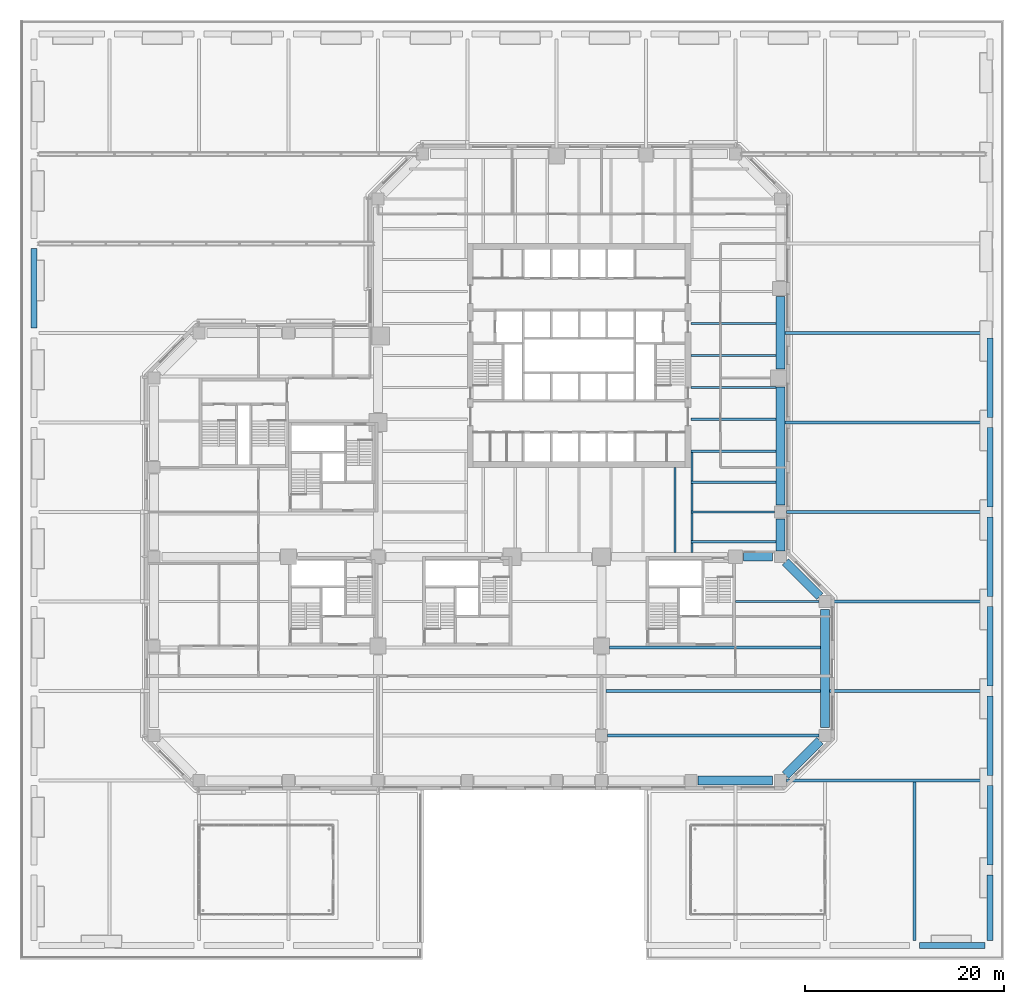
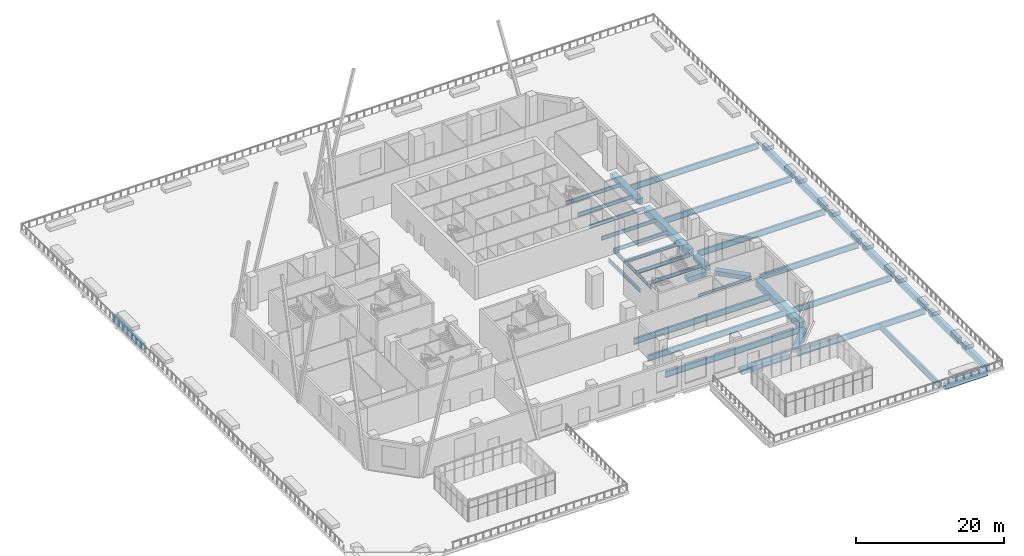
# One storey, part 11 of 33: 38 beams.
"""IFC4 building model written with IfcOpenShell, lengths in metres."""

from ifc_helpers import new_model, si_unit, direction, frame, origin, origin_2d, place, context, subcontext, project, spatial, rectangle, i_section, extrude, material, material_profile, profile_set, type_object, element, save


model = new_model("IFC4")

# Units and contexts
model_context = context("Model", 3, precision=1e-05, world=origin(), true_north=direction((0.0, 1.0)))
body_context = subcontext(model_context, "Body", "Model", "MODEL_VIEW")
ifc_project = project(units=[si_unit("LENGTHUNIT", "METRE"), si_unit("AREAUNIT", "SQUARE_METRE"), si_unit("VOLUMEUNIT", "CUBIC_METRE"), si_unit("PLANEANGLEUNIT", "RADIAN"), si_unit("MASSUNIT", "GRAM", prefix="KILO")], contexts=[model_context])

# Site, building, storey
site_placement = place(None, origin())
site = spatial("IfcSite", under=ifc_project, at=site_placement, CompositionType="ELEMENT")
building_placement = place(site_placement, origin())
building = spatial("IfcBuilding", under=site, at=building_placement, Name="Quoin Convention Tower", CompositionType="ELEMENT")
storey_placement = place(building_placement, frame((0.0, 0.0, 8.0)))
storey = spatial("IfcBuildingStorey", under=building, at=storey_placement, Name="L01", CompositionType="ELEMENT", Elevation=8.0)

# Beams
ifc_material_1 = material(Name="Steel Grade 300", Category="steel")
ifc_material_profile_1 = material_profile(ifc_material_1, i_section(OverallWidth=0.300048828125, OverallDepth=1.0, WebThickness=0.01611328125, FlangeThickness=0.02001953125, at=origin_2d()), Name="1000WB215")
ifc_profile_set_1 = profile_set([ifc_material_profile_1], Name="Steel Grade 300")
beam_type_1 = type_object("IfcBeamType", Name="1000WB215", PredefinedType="BEAM", material=ifc_profile_set_1)
beam_1_placement = place(storey_placement, frame((59.10009765625, 22.5, -0.85009765625), z_axis=(1.0, 0.0, 0.0), x_axis=(0.0, 1.0, 0.0)))
element("IfcBeam", 1, at=beam_1_placement, inside=storey, type_object=beam_type_1, Name="gir-L01-ST5-1-0", PredefinedType="BEAM", context=body_context, shape_type="SweptSolid", body=[
    extrude(i_section(OverallWidth=0.300048828125, OverallDepth=1.0, WebThickness=0.01611328125, FlangeThickness=0.02001953125, at=origin_2d()), origin(), (0.0, 0.0, 1.0), 21.2998046875),
])
beam_2_placement = place(storey_placement, frame((58.949951171875, 27.0, -0.85009765625), z_axis=(1.0, 0.0, 0.0), x_axis=(0.0, 1.0, 0.0)))
element("IfcBeam", 2, at=beam_2_placement, inside=storey, type_object=beam_type_1, Name="gir-L01-ST5-2-0", PredefinedType="BEAM", context=body_context, shape_type="SweptSolid", body=[
    extrude(i_section(OverallWidth=0.300048828125, OverallDepth=1.0, WebThickness=0.01611328125, FlangeThickness=0.02001953125, at=origin_2d()), origin(), (0.0, 0.0, 1.0), 21.60009765625),
])
beam_3_placement = place(storey_placement, frame((59.300048828125, 31.35009765625, -0.85009765625), z_axis=(1.0, 0.0, 0.0), x_axis=(0.0, 1.0, 0.0)))
element("IfcBeam", 3, at=beam_3_placement, inside=storey, type_object=beam_type_1, Name="gir-L01-ST5-3-0", PredefinedType="BEAM", context=body_context, shape_type="SweptSolid", body=[
    extrude(i_section(OverallWidth=0.300048828125, OverallDepth=1.0, WebThickness=0.01611328125, FlangeThickness=0.02001953125, at=origin_2d()), origin(), (0.0, 0.0, 1.0), 21.25),
])
beam_4_placement = place(storey_placement, frame((90.0, 1.89990234375, -0.909912109375), z_axis=(0.0, 1.0, 0.0), x_axis=(-1.0, 0.0, 0.0)))
element("IfcBeam", 4, at=beam_4_placement, inside=storey, type_object=beam_type_1, Name="gir-L01-deck-N90000_1900", PredefinedType="BEAM", context=body_context, shape_type="SweptSolid", body=[
    extrude(i_section(OverallWidth=0.300048828125, OverallDepth=1.0, WebThickness=0.01611328125, FlangeThickness=0.02001953125, at=origin_2d()), origin(), (0.0, 0.0, 1.0), 15.9501953125),
])
beam_5_placement = place(storey_placement, frame((77.10009765625, 18.0, -0.909912109375), z_axis=(1.0, 0.0, 0.0), x_axis=(0.0, 1.0, 0.0)))
element("IfcBeam", 5, at=beam_5_placement, inside=storey, type_object=beam_type_1, Name="gir-L01-deck-E77100_18000", PredefinedType="BEAM", context=body_context, shape_type="SweptSolid", body=[
    extrude(i_section(OverallWidth=0.300048828125, OverallDepth=1.0, WebThickness=0.01611328125, FlangeThickness=0.02001953125, at=origin_2d()), origin(), (0.0, 0.0, 1.0), 20.0),
])
beam_6_placement = place(storey_placement, frame((81.449951171875, 27.0, -0.909912109375), z_axis=(1.0, 0.0, 0.0), x_axis=(0.0, 1.0, 0.0)))
element("IfcBeam", 6, at=beam_6_placement, inside=storey, type_object=beam_type_1, Name="gir-L01-deck-E81450_27000", PredefinedType="BEAM", context=body_context, shape_type="SweptSolid", body=[
    extrude(i_section(OverallWidth=0.300048828125, OverallDepth=1.0, WebThickness=0.01611328125, FlangeThickness=0.02001953125, at=origin_2d()), origin(), (0.0, 0.0, 1.0), 15.650146484375),
])
beam_7_placement = place(storey_placement, frame((81.60009765625, 36.0, -0.909912109375), z_axis=(1.0, 0.0, 0.0), x_axis=(0.0, 1.0, 0.0)))
element("IfcBeam", 7, at=beam_7_placement, inside=storey, type_object=beam_type_1, Name="gir-L01-deck-E81600_36000", PredefinedType="BEAM", context=body_context, shape_type="SweptSolid", body=[
    extrude(i_section(OverallWidth=0.300048828125, OverallDepth=1.0, WebThickness=0.01611328125, FlangeThickness=0.02001953125, at=origin_2d()), origin(), (0.0, 0.0, 1.0), 15.5),
])
beam_8_placement = place(storey_placement, frame((77.10009765625, 45.0, -0.909912109375), z_axis=(1.0, 0.0, 0.0), x_axis=(0.0, 1.0, 0.0)))
element("IfcBeam", 8, at=beam_8_placement, inside=storey, type_object=beam_type_1, Name="gir-L01-deck-E77100_45000", PredefinedType="BEAM", context=body_context, shape_type="SweptSolid", body=[
    extrude(i_section(OverallWidth=0.300048828125, OverallDepth=1.0, WebThickness=0.01611328125, FlangeThickness=0.02001953125, at=origin_2d()), origin(), (0.0, 0.0, 1.0), 20.0),
])
for number, where, z_axis, x_axis, name in (
    (9, (76.949951171875, 54.0, -0.909912109375), (1.0, 0.0, 0.0), (0.0, 1.0, 0.0), "gir-L01-deck-E76950_54000"),
    (10, (76.949951171875, 63.0, -0.909912109375), (1.0, 0.0, 0.0), (0.0, 1.0, 0.0), "gir-L01-deck-E76950_63000"),
):
    element("IfcBeam", number, at=place(storey_placement, frame(where, z_axis=z_axis, x_axis=x_axis)), inside=storey, type_object=beam_type_1, Name=name, PredefinedType="BEAM", context=body_context, shape_type="SweptSolid", body=[
        extrude(i_section(OverallWidth=0.300048828125, OverallDepth=1.0, WebThickness=0.01611328125, FlangeThickness=0.02001953125, at=origin_2d()), origin(), (0.0, 0.0, 1.0), 20.150146484375),
    ])
ifc_material_profile_2 = material_profile(ifc_material_1, i_section(OverallWidth=0.18994140625, OverallDepth=0.4541015625, WebThickness=0.008544921875, FlangeThickness=0.0126953125, FilletRadius=0.011474609375, at=origin_2d()), Name="460UB67.1")
ifc_profile_set_2 = profile_set([ifc_material_profile_2], Name="Steel Grade 300")
beam_type_2 = type_object("IfcBeamType", Name="460UB67.1", PredefinedType="BEAM", material=ifc_profile_set_2)
beam_9_placement = place(storey_placement, frame((72.0, 36.0, -0.576904296875), z_axis=(1.0, 0.0, 0.0), x_axis=(0.0, 1.0, 0.0)))
element("IfcBeam", 11, at=beam_9_placement, inside=storey, type_object=beam_type_2, Name="gir-L01-ST5-4-1", PredefinedType="BEAM", context=body_context, shape_type="SweptSolid", body=[
    extrude(i_section(OverallWidth=0.18994140625, OverallDepth=0.4541015625, WebThickness=0.008544921875, FlangeThickness=0.0126953125, FilletRadius=0.011474609375, at=origin_2d()), origin(), (0.0, 0.0, 1.0), 8.39990234375),
])
ifc_material_profile_3 = material_profile(ifc_material_1, i_section(OverallWidth=0.22802734375, OverallDepth=0.60205078125, WebThickness=0.010498046875, FlangeThickness=0.014892578125, FilletRadius=0.013916015625, at=origin_2d()), Name="610UB101")
ifc_profile_set_3 = profile_set([ifc_material_profile_3], Name="Steel Grade 300")
beam_type_3 = type_object("IfcBeamType", Name="610UB101", PredefinedType="BEAM", material=ifc_profile_set_3)
for number, where, z_axis, x_axis, name in (
    (12, (67.5, 51.107177734375, -0.65087890625), (1.0, 0.0, 0.0), (0.0, 1.0, 0.0), "bm-L01-T1E0"),
    (13, (67.5, 54.3212890625, -0.65087890625), (1.0, 0.0, 0.0), (0.0, 1.0, 0.0), "bm-L01-T1E1"),
    (14, (67.5, 57.53564453125, -0.65087890625), (1.0, 0.0, 0.0), (0.0, 1.0, 0.0), "bm-L01-T1E2"),
    (15, (67.5, 60.75, -0.65087890625), (1.0, 0.0, 0.0), (0.0, 1.0, 0.0), "bm-L01-T1E3"),
    (16, (67.5, 63.96435546875, -0.65087890625), (1.0, 0.0, 0.0), (0.0, 1.0, 0.0), "bm-L01-T1E4"),
    (17, (65.892822265625, 40.949951171875, -0.65087890625), (0.0, 1.0, 0.0), (-1.0, 0.0, 0.0), "bm-L01-T1S6"),
    (18, (67.5, 42.0, -0.65087890625), (1.0, 0.0, 0.0), (0.0, 1.0, 0.0), "bm-L01-T1SE0"),
):
    element("IfcBeam", number, at=place(storey_placement, frame(where, z_axis=z_axis, x_axis=x_axis)), inside=storey, type_object=beam_type_3, Name=name, PredefinedType="BEAM", context=body_context, shape_type="SweptSolid", body=[
        extrude(i_section(OverallWidth=0.22802734375, OverallDepth=0.60205078125, WebThickness=0.010498046875, FlangeThickness=0.014892578125, FilletRadius=0.013916015625, at=origin_2d()), origin(), (0.0, 0.0, 1.0), 8.550048828125),
    ])
beam_10_placement = place(storey_placement, frame((67.5, 45.0, -0.65087890625), z_axis=(1.0, 0.0, 0.0), x_axis=(0.0, 1.0, 0.0)))
element("IfcBeam", 19, at=beam_10_placement, inside=storey, type_object=beam_type_3, Name="bm-L01-T1SE1", PredefinedType="BEAM", context=body_context, shape_type="SweptSolid", body=[
    extrude(i_section(OverallWidth=0.22802734375, OverallDepth=0.60205078125, WebThickness=0.010498046875, FlangeThickness=0.014892578125, FilletRadius=0.013916015625, at=origin_2d()), origin(), (0.0, 0.0, 1.0), 8.39990234375),
])
beam_11_placement = place(storey_placement, frame((67.5, 48.0, -0.65087890625), z_axis=(1.0, 0.0, 0.0), x_axis=(0.0, 1.0, 0.0)))
element("IfcBeam", 20, at=beam_11_placement, inside=storey, type_object=beam_type_3, Name="bm-L01-T1SE2", PredefinedType="BEAM", context=body_context, shape_type="SweptSolid", body=[
    extrude(i_section(OverallWidth=0.22802734375, OverallDepth=0.60205078125, WebThickness=0.010498046875, FlangeThickness=0.014892578125, FilletRadius=0.013916015625, at=origin_2d()), origin(), (0.0, 0.0, 1.0), 8.550048828125),
])
ifc_material_profile_4 = material_profile(ifc_material_1, i_section(OverallWidth=0.22900390625, OverallDepth=0.612060546875, WebThickness=0.011962890625, FlangeThickness=0.01953125, FilletRadius=0.013916015625, at=origin_2d()), Name="610UB125")
ifc_profile_set_4 = profile_set([ifc_material_profile_4], Name="Steel Grade 300")
beam_type_4 = type_object("IfcBeamType", Name="610UB125", PredefinedType="BEAM", material=ifc_profile_set_4)
beam_12_placement = place(storey_placement, frame((67.614501953125, 40.949951171875, -0.656005859375), z_axis=(0.0, 1.0, 0.0), x_axis=(-1.0, 0.0, 0.0)))
element("IfcBeam", 21, at=beam_12_placement, inside=storey, type_object=beam_type_4, Name="gir-L01-T1SE", PredefinedType="BEAM", context=body_context, shape_type="SweptSolid", body=[
    extrude(i_section(OverallWidth=0.22900390625, OverallDepth=0.612060546875, WebThickness=0.011962890625, FlangeThickness=0.01953125, FilletRadius=0.013916015625, at=origin_2d()), origin(), (0.0, 0.0, 1.0), 10.043212890625),
])
ifc_material_2 = material(Name="Concrete C100 (100 MPa)", Category="concrete")
ifc_material_profile_5 = material_profile(ifc_material_2, rectangle(XDim=0.60009765625, YDim=1.0, at=origin_2d()), Name="RC 600x1000")
ifc_profile_set_5 = profile_set([ifc_material_profile_5], Name="Concrete C100 (100 MPa)")
beam_type_5 = type_object("IfcBeamType", Name="RC 600x1000 C100", PredefinedType="SPANDREL", material=ifc_profile_set_5)
beam_13_placement = place(storey_placement, frame((90.5, 1.39990234375, -0.909912109375), z_axis=(1.0, 0.0, 0.0), x_axis=(0.0, 1.0, 0.0)))
element("IfcBeam", 22, at=beam_13_placement, inside=storey, type_object=beam_type_5, Name="spd-L01-edge-90000_1400-97600_1400", PredefinedType="SPANDREL", context=body_context, shape_type="SweptSolid", body=[
    extrude(rectangle(XDim=0.60009765625, YDim=1.0, at=origin_2d()), origin(), (0.0, 0.0, 1.0), 6.60009765625),
])
beam_14_placement = place(storey_placement, frame((1.39990234375, 63.5, -0.909912109375), z_axis=(0.0, 1.0, 0.0), x_axis=(-1.0, 0.0, 0.0)))
element("IfcBeam", 23, at=beam_14_placement, inside=storey, type_object=beam_type_5, Name="spd-L01-edge-1400_63000-1400_72000", PredefinedType="SPANDREL", context=body_context, shape_type="SweptSolid", body=[
    extrude(rectangle(XDim=0.60009765625, YDim=1.0, at=origin_2d()), origin(), (0.0, 0.0, 1.0), 8.0),
])
beam_15_placement = place(storey_placement, frame((97.60009765625, 1.89990234375, -0.909912109375), z_axis=(0.0, 1.0, 0.0), x_axis=(-1.0, 0.0, 0.0)))
element("IfcBeam", 24, at=beam_15_placement, inside=storey, type_object=beam_type_5, Name="spd-L01-edge-97600_1400-97600_9000", PredefinedType="SPANDREL", context=body_context, shape_type="SweptSolid", body=[
    extrude(rectangle(XDim=0.60009765625, YDim=1.0, at=origin_2d()), origin(), (0.0, 0.0, 1.0), 6.60009765625),
])
for number, where, z_axis, x_axis, name in (
    (25, (97.60009765625, 9.5, -0.909912109375), (0.0, 1.0, 0.0), (-1.0, 0.0, 0.0), "spd-L01-edge-97600_9000-97600_18000"),
    (26, (97.60009765625, 18.5, -0.909912109375), (0.0, 1.0, 0.0), (-1.0, 0.0, 0.0), "spd-L01-edge-97600_18000-97600_27000"),
    (27, (97.60009765625, 27.5, -0.909912109375), (0.0, 1.0, 0.0), (-1.0, 0.0, 0.0), "spd-L01-edge-97600_27000-97600_36000"),
    (28, (97.60009765625, 36.5, -0.909912109375), (0.0, 1.0, 0.0), (-1.0, 0.0, 0.0), "spd-L01-edge-97600_36000-97600_45000"),
    (29, (97.60009765625, 45.5, -0.909912109375), (0.0, 1.0, 0.0), (-1.0, 0.0, 0.0), "spd-L01-edge-97600_45000-97600_54000"),
    (30, (97.60009765625, 54.5, -0.909912109375), (0.0, 1.0, 0.0), (-1.0, 0.0, 0.0), "spd-L01-edge-97600_54000-97600_63000"),
):
    element("IfcBeam", number, at=place(storey_placement, frame(where, z_axis=z_axis, x_axis=x_axis)), inside=storey, type_object=beam_type_5, Name=name, PredefinedType="SPANDREL", context=body_context, shape_type="SweptSolid", body=[
        extrude(rectangle(XDim=0.60009765625, YDim=1.0, at=origin_2d()), origin(), (0.0, 0.0, 1.0), 8.0),
    ])
ifc_material_profile_6 = material_profile(ifc_material_2, rectangle(XDim=0.89990234375, YDim=1.199951171875, at=origin_2d()), Name="RC 900x1200")
ifc_profile_set_6 = profile_set([ifc_material_profile_6], Name="Concrete C100 (100 MPa)")
beam_type_6 = type_object("IfcBeamType", Name="RC 900x1200 C100", PredefinedType="SPANDREL", material=ifc_profile_set_6)
beam_16_placement = place(storey_placement, frame((81.0, 23.300048828125, -0.949951171875), z_axis=(0.0, 1.0, 0.0), x_axis=(-1.0, 0.0, 0.0)))
element("IfcBeam", 31, at=beam_16_placement, inside=storey, type_object=beam_type_6, Name="spd-L01-81000_22500-81000_36000", PredefinedType="SPANDREL", context=body_context, shape_type="SweptSolid", body=[
    extrude(rectangle(XDim=0.89990234375, YDim=1.199951171875, at=origin_2d()), origin(), (0.0, 0.0, 1.0), 11.89990234375),
])
beam_17_placement = place(storey_placement, frame((76.5, 45.699951171875, -0.949951171875), z_axis=(0.0, 1.0, 0.0), x_axis=(-1.0, 0.0, 0.0)))
element("IfcBeam", 32, at=beam_17_placement, inside=storey, type_object=beam_type_6, Name="spd-L01-76500_45000-76500_58500", PredefinedType="SPANDREL", context=body_context, shape_type="SweptSolid", body=[
    extrude(rectangle(XDim=0.89990234375, YDim=1.199951171875, at=origin_2d()), origin(), (0.0, 0.0, 1.0), 11.900146484375),
])
ifc_material_profile_7 = material_profile(ifc_material_2, rectangle(XDim=0.89990234375, YDim=0.75, at=origin_2d()), Name="RC 900x750")
ifc_profile_set_7 = profile_set([ifc_material_profile_7], Name="Concrete C100 (100 MPa)")
beam_type_7 = type_object("IfcBeamType", Name="RC 900x750 C100", PredefinedType="SPANDREL", material=ifc_profile_set_7)
for number, where, z_axis, x_axis, name in (
    (33, (77.01513671875, 18.51513671875, -0.72509765625), (0.707106781187, 0.707106781187, 0.0), (-0.707106781187, 0.707106781187, 0.0), "spd-L01-76500_18000-81000_22500"),
    (34, (80.48486328125, 36.51513671875, -0.72509765625), (-0.707106781187, 0.707106781187, 0.0), (-0.707106781187, -0.707106781187, 0.0), "spd-L01-81000_36000-76500_40500"),
):
    element("IfcBeam", number, at=place(storey_placement, frame(where, z_axis=z_axis, x_axis=x_axis)), inside=storey, type_object=beam_type_7, Name=name, PredefinedType="SPANDREL", context=body_context, shape_type="SweptSolid", body=[
        extrude(rectangle(XDim=0.89990234375, YDim=0.75, at=origin_2d()), origin(), (0.0, 0.0, 1.0), 4.906982421875),
    ])
beam_18_placement = place(storey_placement, frame((76.5, 41.10009765625, -0.72509765625), z_axis=(0.0, 1.0, 0.0), x_axis=(-1.0, 0.0, 0.0)))
element("IfcBeam", 35, at=beam_18_placement, inside=storey, type_object=beam_type_7, Name="spd-L01-76500_40500-76500_45000", PredefinedType="SPANDREL", context=body_context, shape_type="SweptSolid", body=[
    extrude(rectangle(XDim=0.89990234375, YDim=0.75, at=origin_2d()), origin(), (0.0, 0.0, 1.0), 3.199951171875),
])
beam_19_placement = place(storey_placement, frame((72.800048828125, 40.5, -0.72509765625), z_axis=(1.0, 0.0, 0.0), x_axis=(0.0, 1.0, 0.0)))
element("IfcBeam", 36, at=beam_19_placement, inside=storey, type_object=beam_type_7, Name="spd-L01-72000_40500-76500_40500", PredefinedType="SPANDREL", context=body_context, shape_type="SweptSolid", body=[
    extrude(rectangle(XDim=0.89990234375, YDim=0.75, at=origin_2d()), origin(), (0.0, 0.0, 1.0), 2.89990234375),
])
ifc_material_profile_8 = material_profile(ifc_material_2, rectangle(XDim=0.89990234375, YDim=0.800048828125, at=origin_2d()), Name="RC 900x800")
ifc_profile_set_8 = profile_set([ifc_material_profile_8], Name="Concrete C100 (100 MPa)")
beam_type_8 = type_object("IfcBeamType", Name="RC 900x800 C100", PredefinedType="SPANDREL", material=ifc_profile_set_8)
beam_20_placement = place(storey_placement, frame((68.199951171875, 18.0, -0.75), z_axis=(1.0, 0.0, 0.0), x_axis=(0.0, 1.0, 0.0)))
element("IfcBeam", 37, at=beam_20_placement, inside=storey, type_object=beam_type_8, Name="spd-L01-67500_18000-76500_18000", PredefinedType="SPANDREL", context=body_context, shape_type="SweptSolid", body=[
    extrude(rectangle(XDim=0.89990234375, YDim=0.800048828125, at=origin_2d()), origin(), (0.0, 0.0, 1.0), 7.5),
])
beam_21_placement = place(storey_placement, frame((76.5, 59.39990234375, -0.75), z_axis=(0.0, 1.0, 0.0), x_axis=(-1.0, 0.0, 0.0)))
element("IfcBeam", 38, at=beam_21_placement, inside=storey, type_object=beam_type_8, Name="spd-L01-76500_58500-76500_67500", PredefinedType="SPANDREL", context=body_context, shape_type="SweptSolid", body=[
    extrude(rectangle(XDim=0.89990234375, YDim=0.800048828125, at=origin_2d()), origin(), (0.0, 0.0, 1.0), 7.300048828125),
])

save(model, "model.ifc")
